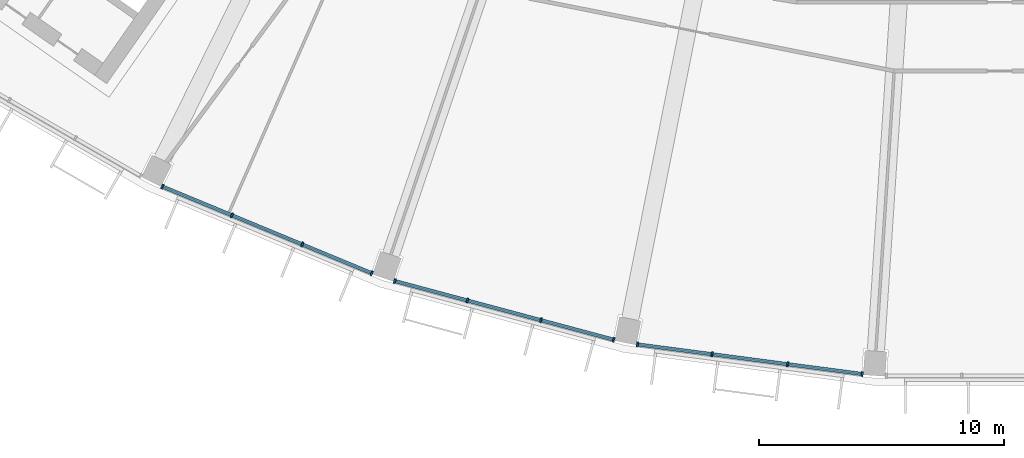
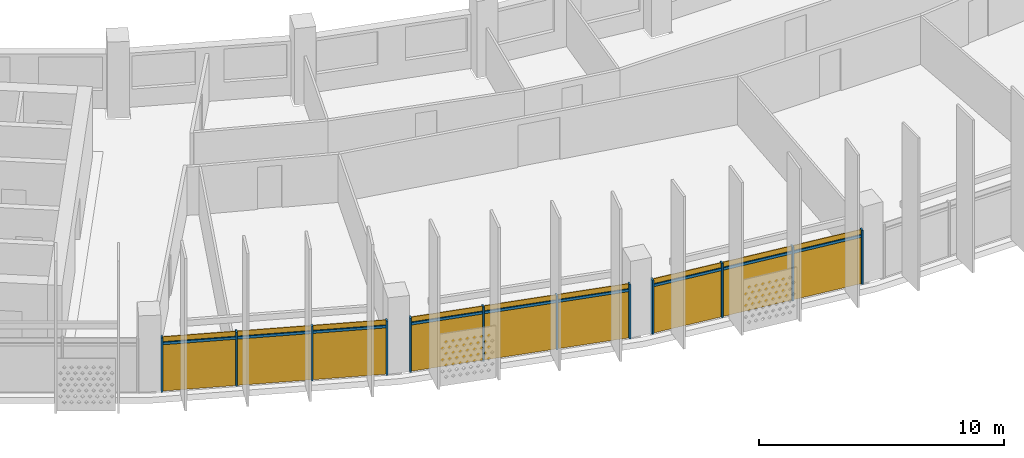
# One storey, part 17 of 29: 21 members, 3 curtain walls.
"""IFC4 building model written with IfcOpenShell, lengths in metres."""

from ifc_helpers import new_model, si_unit, direction, frame, origin, origin_2d, place, context, subcontext, project, spatial, rectangle, extrude, material, material_profile, profile_set, type_object, element, aggregate, save


model = new_model("IFC4")

# Units and contexts
model_context = context("Model", 3, precision=1e-05, world=origin(), true_north=direction((0.0, 1.0)))
body_context = subcontext(model_context, "Body", "Model", "MODEL_VIEW")
ifc_project = project(units=[si_unit("LENGTHUNIT", "METRE"), si_unit("AREAUNIT", "SQUARE_METRE"), si_unit("VOLUMEUNIT", "CUBIC_METRE"), si_unit("PLANEANGLEUNIT", "RADIAN"), si_unit("MASSUNIT", "GRAM", prefix="KILO")], contexts=[model_context])

# Member
ifc_material = material(Name="Aluminium 6063-T6 anodised", Category="aluminium")
ifc_material_profile_1 = material_profile(ifc_material, rectangle(XDim=0.199951171875, YDim=0.070068359375, at=origin_2d()))
ifc_profile_set_1 = profile_set([ifc_material_profile_1], Name="Aluminium 6063-T6 anodised")
member_type_1 = type_object("IfcMemberType", Name="Mullion 70 x 200 aluminium", PredefinedType="MULLION", material=ifc_profile_set_1)
site_placement = place(None, origin())
building_placement = place(site_placement, origin())
storey_placement = place(building_placement, frame((0.0, 0.0, 258.10009765625)))
member_1_placement = place(storey_placement, frame((-34.153076171875, -70.368896484375, 0.0), z_axis=(0.0, 0.0, 1.0), x_axis=(0.382683432365, 0.923879532511, 0.0)))
member_1 = element("IfcMember", 1, at=member_1_placement, type_object=member_type_1, Name="e-cw1-L62-out04/M00", PredefinedType="MULLION", context=body_context, shape_type="SweptSolid", body=[
    extrude(rectangle(XDim=0.199951171875, YDim=0.070068359375, at=origin_2d()), origin(), (0.0, 0.0, 1.0), 2.699951171875),
])

member_2_placement = place(storey_placement, frame((-31.315673828125, -71.544189453125, 0.0), z_axis=(0.0, 0.0, 1.0), x_axis=(0.382683432365, 0.923879532511, 0.0)))
member_2 = element("IfcMember", 2, at=member_2_placement, type_object=member_type_1, Name="e-cw1-L62-out04/M01", PredefinedType="MULLION", context=body_context, shape_type="SweptSolid", body=[
    extrude(rectangle(XDim=0.199951171875, YDim=0.070068359375, at=origin_2d()), origin(), (0.0, 0.0, 1.0), 2.699951171875),
])

member_3_placement = place(storey_placement, frame((-28.44580078125, -72.73291015625, 0.0), z_axis=(0.0, 0.0, 1.0), x_axis=(0.382683432365, 0.923879532511, 0.0)))
member_3 = element("IfcMember", 3, at=member_3_placement, type_object=member_type_1, Name="e-cw1-L62-out04/M02", PredefinedType="MULLION", context=body_context, shape_type="SweptSolid", body=[
    extrude(rectangle(XDim=0.199951171875, YDim=0.070068359375, at=origin_2d()), origin(), (0.0, 0.0, 1.0), 2.699951171875),
])

member_4_placement = place(storey_placement, frame((-25.6083984375, -73.908203125, 0.0), z_axis=(0.0, 0.0, 1.0), x_axis=(0.382683432365, 0.923879532511, 0.0)))
member_4 = element("IfcMember", 4, at=member_4_placement, type_object=member_type_1, Name="e-cw1-L62-out04/M03", PredefinedType="MULLION", context=body_context, shape_type="SweptSolid", body=[
    extrude(rectangle(XDim=0.199951171875, YDim=0.070068359375, at=origin_2d()), origin(), (0.0, 0.0, 1.0), 2.699951171875),
])

member_5_placement = place(storey_placement, frame((-24.676025390625, -74.224853515625, 0.0), z_axis=(0.0, 0.0, 1.0), x_axis=(0.258819045103, 0.965925826289, 0.0)))
member_5 = element("IfcMember", 5, at=member_5_placement, type_object=member_type_1, Name="e-cw1-L62-out05/M00", PredefinedType="MULLION", context=body_context, shape_type="SweptSolid", body=[
    extrude(rectangle(XDim=0.199951171875, YDim=0.070068359375, at=origin_2d()), origin(), (0.0, 0.0, 1.0), 2.699951171875),
])

member_6_placement = place(storey_placement, frame((-21.70947265625, -75.019775390625, 0.0), z_axis=(0.0, 0.0, 1.0), x_axis=(0.258819045103, 0.965925826289, 0.0)))
member_6 = element("IfcMember", 6, at=member_6_placement, type_object=member_type_1, Name="e-cw1-L62-out05/M01", PredefinedType="MULLION", context=body_context, shape_type="SweptSolid", body=[
    extrude(rectangle(XDim=0.199951171875, YDim=0.070068359375, at=origin_2d()), origin(), (0.0, 0.0, 1.0), 2.699951171875),
])

member_7_placement = place(storey_placement, frame((-18.708984375, -75.82373046875, 0.0), z_axis=(0.0, 0.0, 1.0), x_axis=(0.258819045103, 0.965925826289, 0.0)))
member_7 = element("IfcMember", 7, at=member_7_placement, type_object=member_type_1, Name="e-cw1-L62-out05/M02", PredefinedType="MULLION", context=body_context, shape_type="SweptSolid", body=[
    extrude(rectangle(XDim=0.199951171875, YDim=0.070068359375, at=origin_2d()), origin(), (0.0, 0.0, 1.0), 2.699951171875),
])

member_8_placement = place(storey_placement, frame((-15.742431640625, -76.618408203125, 0.0), z_axis=(0.0, 0.0, 1.0), x_axis=(0.258819045103, 0.965925826289, 0.0)))
member_8 = element("IfcMember", 8, at=member_8_placement, type_object=member_type_1, Name="e-cw1-L62-out05/M03", PredefinedType="MULLION", context=body_context, shape_type="SweptSolid", body=[
    extrude(rectangle(XDim=0.199951171875, YDim=0.070068359375, at=origin_2d()), origin(), (0.0, 0.0, 1.0), 2.699951171875),
])

member_9_placement = place(storey_placement, frame((-14.776611328125, -76.810546875, 0.0), z_axis=(0.0, 0.0, 1.0), x_axis=(0.13052619222, 0.991444861374, 0.0)))
member_9 = element("IfcMember", 9, at=member_9_placement, type_object=member_type_1, Name="e-cw1-L62-out06/M00", PredefinedType="MULLION", context=body_context, shape_type="SweptSolid", body=[
    extrude(rectangle(XDim=0.199951171875, YDim=0.070068359375, at=origin_2d()), origin(), (0.0, 0.0, 1.0), 2.699951171875),
])

member_10_placement = place(storey_placement, frame((-11.731689453125, -77.21142578125, 0.0), z_axis=(0.0, 0.0, 1.0), x_axis=(0.13052619222, 0.991444861374, 0.0)))
member_10 = element("IfcMember", 10, at=member_10_placement, type_object=member_type_1, Name="e-cw1-L62-out06/M01", PredefinedType="MULLION", context=body_context, shape_type="SweptSolid", body=[
    extrude(rectangle(XDim=0.199951171875, YDim=0.070068359375, at=origin_2d()), origin(), (0.0, 0.0, 1.0), 2.699951171875),
])

member_11_placement = place(storey_placement, frame((-8.65185546875, -77.616943359375, 0.0), z_axis=(0.0, 0.0, 1.0), x_axis=(0.13052619222, 0.991444861374, 0.0)))
member_11 = element("IfcMember", 11, at=member_11_placement, type_object=member_type_1, Name="e-cw1-L62-out06/M02", PredefinedType="MULLION", context=body_context, shape_type="SweptSolid", body=[
    extrude(rectangle(XDim=0.199951171875, YDim=0.070068359375, at=origin_2d()), origin(), (0.0, 0.0, 1.0), 2.699951171875),
])

member_12_placement = place(storey_placement, frame((-5.60693359375, -78.017822265625, 0.0), z_axis=(0.0, 0.0, 1.0), x_axis=(0.13052619222, 0.991444861374, 0.0)))
member_12 = element("IfcMember", 12, at=member_12_placement, type_object=member_type_1, Name="e-cw1-L62-out06/M03", PredefinedType="MULLION", context=body_context, shape_type="SweptSolid", body=[
    extrude(rectangle(XDim=0.199951171875, YDim=0.070068359375, at=origin_2d()), origin(), (0.0, 0.0, 1.0), 2.699951171875),
])

ifc_material_profile_2 = material_profile(ifc_material, rectangle(XDim=0.139892578125, YDim=0.1201171875, at=origin_2d()))
ifc_profile_set_2 = profile_set([ifc_material_profile_2], Name="Aluminium 6063-T6 anodised")
member_type_2 = type_object("IfcMemberType", Name="Transom 120 x 140 aluminium", PredefinedType="USERDEFINED", material=ifc_profile_set_2)
member_13_placement = place(storey_placement, frame((-34.120849609375, -70.38232421875, 2.39990234375), z_axis=(0.923897869521, -0.382639159907, 0.0), x_axis=(0.382639159907, 0.923897869521, 0.0)))
member_13 = element("IfcMember", 13, at=member_13_placement, type_object=member_type_2, Name="e-cw1-L62-out04/T00", ObjectType="TRANSOM", PredefinedType="USERDEFINED", context=body_context, shape_type="SweptSolid", body=[
    extrude(rectangle(XDim=0.139892578125, YDim=0.1201171875, at=origin_2d()), origin(), (0.0, 0.0, 1.0), 3.00146484375),
])

member_14_placement = place(storey_placement, frame((-31.283447265625, -71.5576171875, 2.39990234375), z_axis=(0.923888454036, -0.38266189319, 0.0), x_axis=(0.38266189319, 0.923888454036, 0.0)))
member_14 = element("IfcMember", 14, at=member_14_placement, type_object=member_type_2, Name="e-cw1-L62-out04/T01", ObjectType="TRANSOM", PredefinedType="USERDEFINED", context=body_context, shape_type="SweptSolid", body=[
    extrude(rectangle(XDim=0.139892578125, YDim=0.1201171875, at=origin_2d()), origin(), (0.0, 0.0, 1.0), 3.036376953125),
])

member_15_placement = place(storey_placement, frame((-28.41357421875, -72.746337890625, 2.39990234375), z_axis=(0.923885958475, -0.382667918347, 0.0), x_axis=(0.382667918347, 0.923885958475, 0.0)))
member_15 = element("IfcMember", 15, at=member_15_placement, type_object=member_type_2, Name="e-cw1-L62-out04/T02", ObjectType="TRANSOM", PredefinedType="USERDEFINED", context=body_context, shape_type="SweptSolid", body=[
    extrude(rectangle(XDim=0.139892578125, YDim=0.1201171875, at=origin_2d()), origin(), (0.0, 0.0, 1.0), 3.001220703125),
])

member_16_placement = place(storey_placement, frame((-24.64208984375, -74.23388671875, 2.39990234375), z_axis=(0.965918275034, -0.258847225127, 0.0), x_axis=(0.258847225127, 0.965918275034, 0.0)))
member_16 = element("IfcMember", 16, at=member_16_placement, type_object=member_type_2, Name="e-cw1-L62-out05/T00", ObjectType="TRANSOM", PredefinedType="USERDEFINED", context=body_context, shape_type="SweptSolid", body=[
    extrude(rectangle(XDim=0.139892578125, YDim=0.1201171875, at=origin_2d()), origin(), (0.0, 0.0, 1.0), 3.001220703125),
])

member_17_placement = place(storey_placement, frame((-21.675537109375, -75.02880859375, 2.39990234375), z_axis=(0.965943386189, -0.258753501769, 0.0), x_axis=(0.258753501769, 0.965943386189, 0.0)))
member_17 = element("IfcMember", 17, at=member_17_placement, type_object=member_type_2, Name="e-cw1-L62-out05/T01", ObjectType="TRANSOM", PredefinedType="USERDEFINED", context=body_context, shape_type="SweptSolid", body=[
    extrude(rectangle(XDim=0.139892578125, YDim=0.1201171875, at=origin_2d()), origin(), (0.0, 0.0, 1.0), 3.036376953125),
])

member_18_placement = place(storey_placement, frame((-18.67529296875, -75.832763671875, 2.39990234375), z_axis=(0.965944058071, -0.258750993577, 0.0), x_axis=(0.258750993577, 0.965944058071, 0.0)))
member_18 = element("IfcMember", 18, at=member_18_placement, type_object=member_type_2, Name="e-cw1-L62-out05/T02", ObjectType="TRANSOM", PredefinedType="USERDEFINED", context=body_context, shape_type="SweptSolid", body=[
    extrude(rectangle(XDim=0.139892578125, YDim=0.1201171875, at=origin_2d()), origin(), (0.0, 0.0, 1.0), 3.00146484375),
])

member_19_placement = place(storey_placement, frame((-14.741943359375, -76.815185546875, 2.39990234375), z_axis=(0.991440446253, -0.13055972401, 0.0), x_axis=(0.13055972401, 0.991440446253, 0.0)))
member_19 = element("IfcMember", 19, at=member_19_placement, type_object=member_type_2, Name="e-cw1-L62-out06/T00", ObjectType="TRANSOM", PredefinedType="USERDEFINED", context=body_context, shape_type="SweptSolid", body=[
    extrude(rectangle(XDim=0.139892578125, YDim=0.1201171875, at=origin_2d()), origin(), (0.0, 0.0, 1.0), 3.001220703125),
])

member_20_placement = place(storey_placement, frame((-11.697021484375, -77.216064453125, 2.39990234375), z_axis=(0.991447725786, -0.130504433005, 0.0), x_axis=(0.130504433005, 0.991447725786, 0.0)))
member_20 = element("IfcMember", 20, at=member_20_placement, type_object=member_type_2, Name="e-cw1-L62-out06/T01", ObjectType="TRANSOM", PredefinedType="USERDEFINED", context=body_context, shape_type="SweptSolid", body=[
    extrude(rectangle(XDim=0.139892578125, YDim=0.1201171875, at=origin_2d()), origin(), (0.0, 0.0, 1.0), 3.0361328125),
])

member_21_placement = place(storey_placement, frame((-8.6171875, -77.62158203125, 2.39990234375), z_axis=(0.991450972696, -0.130479763719, 0.0), x_axis=(0.130479763719, 0.991450972696, 0.0)))
member_21 = element("IfcMember", 21, at=member_21_placement, type_object=member_type_2, Name="e-cw1-L62-out06/T02", ObjectType="TRANSOM", PredefinedType="USERDEFINED", context=body_context, shape_type="SweptSolid", body=[
    extrude(rectangle(XDim=0.139892578125, YDim=0.1201171875, at=origin_2d()), origin(), (0.0, 0.0, 1.0), 3.001220703125),
])

# Site, building, storey
site = spatial("IfcSite", under=ifc_project, at=site_placement, CompositionType="ELEMENT")
building = spatial("IfcBuilding", under=site, at=building_placement, Name="Qamariyya Broadcast Tower", CompositionType="ELEMENT")
storey = spatial("IfcBuildingStorey", under=building, at=storey_placement, Name="L62", CompositionType="ELEMENT", Elevation=258.10009765625)

# Curtain wall
curtain_wall_type = type_object("IfcCurtainWallType", Name="Unitised curtain wall, anodised aluminium", PredefinedType="NOTDEFINED", material=ifc_material)
curtain_wall_1_placement = place(storey_placement, origin())
curtain_wall_1 = element("IfcCurtainWall", 22, at=curtain_wall_1_placement, inside=storey, type_object=curtain_wall_type, Name="e-cw1-L62-out04", PredefinedType="NOTDEFINED", context=body_context, shape_type="SweptSolid", body=[
    extrude(rectangle(XDim=3.001220703125, YDim=0.031982421875, at=origin_2d()), frame((-32.734375, -70.95654296875, 0.0), x_axis=(0.923877930643, -0.382687299595, 0.0)), (0.0, 0.0, 1.0), 2.340087890625),
    extrude(rectangle(XDim=3.001220703125, YDim=0.031982421875, at=origin_2d()), frame((-32.734375, -70.95654296875, 2.4599609375), x_axis=(0.923877930643, -0.382687299595, 0.0)), (0.0, 0.0, 1.0), 0.239990234375),
    extrude(rectangle(XDim=3.0361328125, YDim=0.031982421875, at=origin_2d()), frame((-29.880859375, -72.138671875, 0.0), x_axis=(0.923877930643, -0.382687299595, 0.0)), (0.0, 0.0, 1.0), 2.340087890625),
    extrude(rectangle(XDim=3.0361328125, YDim=0.031982421875, at=origin_2d()), frame((-29.880859375, -72.138671875, 2.4599609375), x_axis=(0.923877930643, -0.382687299595, 0.0)), (0.0, 0.0, 1.0), 0.239990234375),
    extrude(rectangle(XDim=3.001220703125, YDim=0.031982421875, at=origin_2d()), frame((-27.02734375, -73.320556640625, 0.0), x_axis=(0.923877930643, -0.382687299595, 0.0)), (0.0, 0.0, 1.0), 2.340087890625),
    extrude(rectangle(XDim=3.001220703125, YDim=0.031982421875, at=origin_2d()), frame((-27.02734375, -73.320556640625, 2.4599609375), x_axis=(0.923877930643, -0.382687299595, 0.0)), (0.0, 0.0, 1.0), 0.239990234375),
])

aggregate(curtain_wall_1, [member_1, member_2, member_3, member_4, member_13, member_14, member_15])

curtain_wall_2_placement = place(storey_placement, origin())
curtain_wall_2 = element("IfcCurtainWall", 23, at=curtain_wall_2_placement, inside=storey, type_object=curtain_wall_type, Name="e-cw1-L62-out05", PredefinedType="NOTDEFINED", context=body_context, shape_type="SweptSolid", body=[
    extrude(rectangle(XDim=3.001220703125, YDim=0.031982421875, at=origin_2d()), frame((-23.192626953125, -74.622314453125, 0.0), x_axis=(0.965925949265, -0.258818586151, 0.0)), (0.0, 0.0, 1.0), 2.340087890625),
    extrude(rectangle(XDim=3.001220703125, YDim=0.031982421875, at=origin_2d()), frame((-23.192626953125, -74.622314453125, 2.4599609375), x_axis=(0.965925949265, -0.258818586151, 0.0)), (0.0, 0.0, 1.0), 0.239990234375),
    extrude(rectangle(XDim=3.0361328125, YDim=0.031982421875, at=origin_2d()), frame((-20.208984375, -75.421875, 0.0), x_axis=(0.965925949265, -0.258818586151, 0.0)), (0.0, 0.0, 1.0), 2.340087890625),
    extrude(rectangle(XDim=3.0361328125, YDim=0.031982421875, at=origin_2d()), frame((-20.208984375, -75.421875, 2.4599609375), x_axis=(0.965925949265, -0.258818586151, 0.0)), (0.0, 0.0, 1.0), 0.239990234375),
    extrude(rectangle(XDim=3.001220703125, YDim=0.031982421875, at=origin_2d()), frame((-17.2255859375, -76.22119140625, 0.0), x_axis=(0.965925949265, -0.258818586151, 0.0)), (0.0, 0.0, 1.0), 2.340087890625),
    extrude(rectangle(XDim=3.001220703125, YDim=0.031982421875, at=origin_2d()), frame((-17.2255859375, -76.22119140625, 2.4599609375), x_axis=(0.965925949265, -0.258818586151, 0.0)), (0.0, 0.0, 1.0), 0.239990234375),
])

aggregate(curtain_wall_2, [member_5, member_6, member_7, member_8, member_16, member_17, member_18])

curtain_wall_3_placement = place(storey_placement, origin())
curtain_wall_3 = element("IfcCurtainWall", 24, at=curtain_wall_3_placement, inside=storey, type_object=curtain_wall_type, Name="e-cw1-L62-out06", PredefinedType="NOTDEFINED", context=body_context, shape_type="SweptSolid", body=[
    extrude(rectangle(XDim=3.001220703125, YDim=0.031982421875, at=origin_2d()), frame((-13.254150390625, -77.01123046875, 0.0), x_axis=(0.991445286748, -0.130522961144, 0.0)), (0.0, 0.0, 1.0), 2.340087890625),
    extrude(rectangle(XDim=3.001220703125, YDim=0.031982421875, at=origin_2d()), frame((-13.254150390625, -77.01123046875, 2.4599609375), x_axis=(0.991445286748, -0.130522961144, 0.0)), (0.0, 0.0, 1.0), 0.239990234375),
    extrude(rectangle(XDim=3.0361328125, YDim=0.031982421875, at=origin_2d()), frame((-10.19189453125, -77.414306640625, 0.0), x_axis=(0.991445286748, -0.130522961144, 0.0)), (0.0, 0.0, 1.0), 2.340087890625),
    extrude(rectangle(XDim=3.0361328125, YDim=0.031982421875, at=origin_2d()), frame((-10.19189453125, -77.414306640625, 2.4599609375), x_axis=(0.991445286748, -0.130522961144, 0.0)), (0.0, 0.0, 1.0), 0.239990234375),
    extrude(rectangle(XDim=3.001220703125, YDim=0.031982421875, at=origin_2d()), frame((-7.12939453125, -77.8173828125, 0.0), x_axis=(0.991445286748, -0.130522961144, 0.0)), (0.0, 0.0, 1.0), 2.340087890625),
    extrude(rectangle(XDim=3.001220703125, YDim=0.031982421875, at=origin_2d()), frame((-7.12939453125, -77.8173828125, 2.4599609375), x_axis=(0.991445286748, -0.130522961144, 0.0)), (0.0, 0.0, 1.0), 0.239990234375),
])

aggregate(curtain_wall_3, [member_9, member_10, member_11, member_12, member_19, member_20, member_21])

save(model, "model.ifc")
